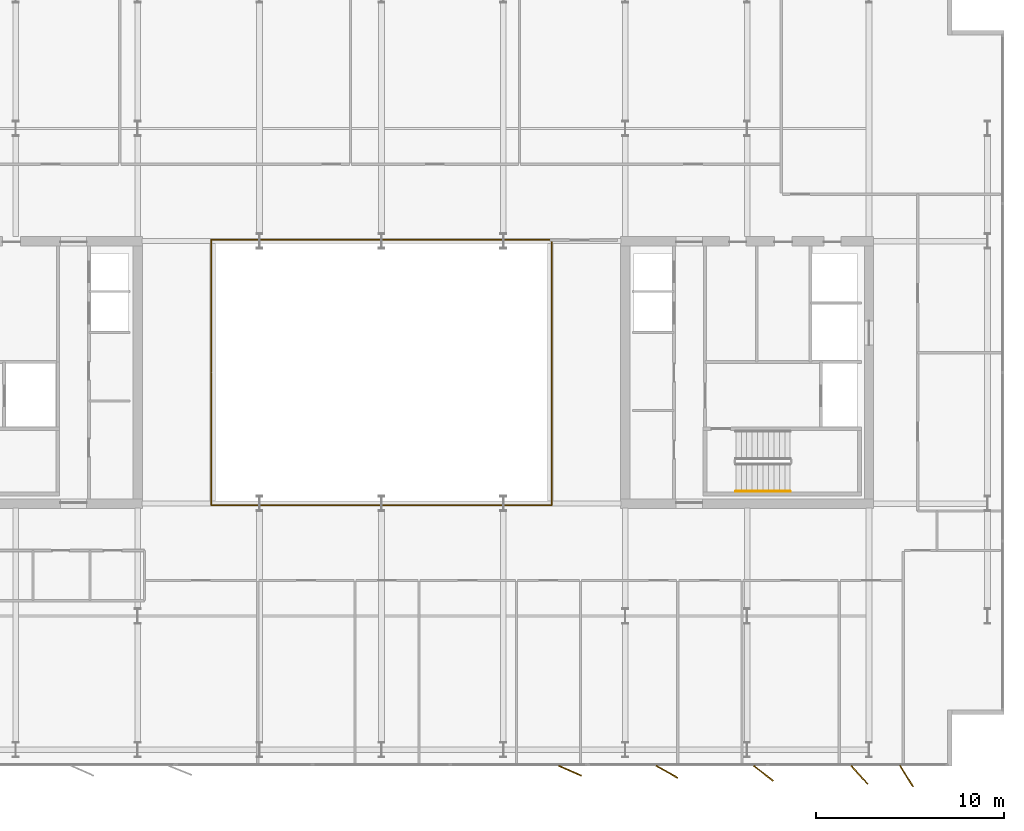
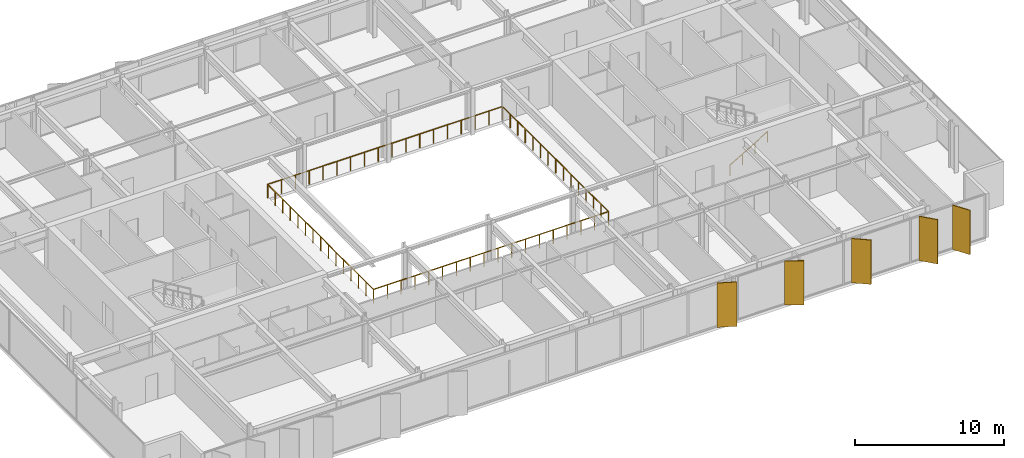
# One storey, part 22 of 24: 5 shading devices, 3 railings.
"""IFC4 building model written with IfcOpenShell, lengths in metres."""

from ifc_helpers import new_model, si_unit, direction, frame, origin, origin_2d, place, context, subcontext, project, spatial, rectangle, circle, extrude, material, layer, layer_set, type_object, element, save


model = new_model("IFC4")

# Units and contexts
model_context = context("Model", 3, precision=1e-05, world=origin(), true_north=direction((0.0, 1.0)))
body_context = subcontext(model_context, "Body", "Model", "MODEL_VIEW")
ifc_project = project(units=[si_unit("LENGTHUNIT", "METRE"), si_unit("AREAUNIT", "SQUARE_METRE"), si_unit("VOLUMEUNIT", "CUBIC_METRE"), si_unit("PLANEANGLEUNIT", "RADIAN"), si_unit("MASSUNIT", "GRAM", prefix="KILO")], contexts=[model_context])

# Site, building, storey
site_placement = place(None, origin())
site = spatial("IfcSite", under=ifc_project, at=site_placement, CompositionType="ELEMENT")
building_placement = place(site_placement, origin())
building = spatial("IfcBuilding", under=site, at=building_placement, Name="Putna Gate Headquarters", CompositionType="ELEMENT")
storey_placement = place(building_placement, frame((0.0, 0.0, 236.60009765625)))
storey = spatial("IfcBuildingStorey", under=building, at=storey_placement, Name="L59", CompositionType="ELEMENT", Elevation=236.60009765625)

# Railings
ifc_material_1 = material(Name="Anodised bronze and laminated glass atrium balustrade", Category="glass")
railing_type_1 = type_object("IfcRailingType", Name="RAIL-ATRIUM-GUARD-1150", PredefinedType="GUARDRAIL", material=ifc_material_1)
railing_1_placement = place(storey_placement, frame((29.919921875, 25.969970703125, 0.0)))
element("IfcRailing", 1, at=railing_1_placement, inside=storey, type_object=railing_type_1, Name="L59 Central Atrium Glazed Balustrade South", PredefinedType="GUARDRAIL", context=body_context, shape_type="SweptSolid", body=[
    extrude(circle(Radius=0.02392578125, at=origin_2d()), frame((0.0, 0.0, 1.1259765625), z_axis=(0.0, -1.0, 0.0), x_axis=(1.0, 0.0, 0.0)), (0.0, 0.0, 1.0), 7.050048828125),
    extrude(circle(Radius=0.02392578125, at=origin_2d()), frame((0.0, -7.050048828125, 1.1259765625), z_axis=(1.0, 0.0, 0.0), x_axis=(0.0, 1.0, 0.0)), (0.0, 0.0, 1.0), 18.16015625),
    extrude(circle(Radius=0.02392578125, at=origin_2d()), frame((18.16015625, -7.050048828125, 1.1259765625), z_axis=(0.0, 1.0, 0.0), x_axis=(-1.0, 0.0, 0.0)), (0.0, 0.0, 1.0), 7.050048828125),
    extrude(circle(Radius=0.02099609375, at=origin_2d()), origin(), (0.0, 0.0, 1.0), 1.101806640625),
    extrude(circle(Radius=0.02099609375, at=origin_2d()), frame((0.0, -1.007080078125, 0.0)), (0.0, 0.0, 1.0), 1.101806640625),
    extrude(circle(Radius=0.02099609375, at=origin_2d()), frame((0.0, -2.014404296875, 0.0)), (0.0, 0.0, 1.0), 1.101806640625),
    extrude(circle(Radius=0.02099609375, at=origin_2d()), frame((0.0, -3.021484375, 0.0)), (0.0, 0.0, 1.0), 1.101806640625),
    extrude(circle(Radius=0.02099609375, at=origin_2d()), frame((0.0, -4.028564453125, 0.0)), (0.0, 0.0, 1.0), 1.101806640625),
    extrude(circle(Radius=0.02099609375, at=origin_2d()), frame((0.0, -5.03564453125, 0.0)), (0.0, 0.0, 1.0), 1.101806640625),
    extrude(circle(Radius=0.02099609375, at=origin_2d()), frame((0.0, -6.04296875, 0.0)), (0.0, 0.0, 1.0), 1.101806640625),
    extrude(circle(Radius=0.02099609375, at=origin_2d()), frame((0.0, -7.050048828125, 0.0)), (0.0, 0.0, 1.0), 1.101806640625),
    extrude(circle(Radius=0.02099609375, at=origin_2d()), frame((1.068359375, -7.050048828125, 0.0)), (0.0, 0.0, 1.0), 1.101806640625),
    extrude(circle(Radius=0.02099609375, at=origin_2d()), frame((2.136474609375, -7.050048828125, 0.0)), (0.0, 0.0, 1.0), 1.101806640625),
    extrude(circle(Radius=0.02099609375, at=origin_2d()), frame((3.204833984375, -7.050048828125, 0.0)), (0.0, 0.0, 1.0), 1.101806640625),
    extrude(circle(Radius=0.02099609375, at=origin_2d()), frame((4.27294921875, -7.050048828125, 0.0)), (0.0, 0.0, 1.0), 1.101806640625),
    extrude(circle(Radius=0.02099609375, at=origin_2d()), frame((5.34130859375, -7.050048828125, 0.0)), (0.0, 0.0, 1.0), 1.101806640625),
    extrude(circle(Radius=0.02099609375, at=origin_2d()), frame((6.409423828125, -7.050048828125, 0.0)), (0.0, 0.0, 1.0), 1.101806640625),
    extrude(circle(Radius=0.02099609375, at=origin_2d()), frame((7.477783203125, -7.050048828125, 0.0)), (0.0, 0.0, 1.0), 1.101806640625),
    extrude(circle(Radius=0.02099609375, at=origin_2d()), frame((8.5458984375, -7.050048828125, 0.0)), (0.0, 0.0, 1.0), 1.101806640625),
    extrude(circle(Radius=0.02099609375, at=origin_2d()), frame((9.6142578125, -7.050048828125, 0.0)), (0.0, 0.0, 1.0), 1.101806640625),
    extrude(circle(Radius=0.02099609375, at=origin_2d()), frame((10.682373046875, -7.050048828125, 0.0)), (0.0, 0.0, 1.0), 1.101806640625),
    extrude(circle(Radius=0.02099609375, at=origin_2d()), frame((11.750732421875, -7.050048828125, 0.0)), (0.0, 0.0, 1.0), 1.101806640625),
    extrude(circle(Radius=0.02099609375, at=origin_2d()), frame((12.81884765625, -7.050048828125, 0.0)), (0.0, 0.0, 1.0), 1.101806640625),
    extrude(circle(Radius=0.02099609375, at=origin_2d()), frame((13.88720703125, -7.050048828125, 0.0)), (0.0, 0.0, 1.0), 1.101806640625),
    extrude(circle(Radius=0.02099609375, at=origin_2d()), frame((14.955322265625, -7.050048828125, 0.0)), (0.0, 0.0, 1.0), 1.101806640625),
    extrude(circle(Radius=0.02099609375, at=origin_2d()), frame((16.023681640625, -7.050048828125, 0.0)), (0.0, 0.0, 1.0), 1.101806640625),
    extrude(circle(Radius=0.02099609375, at=origin_2d()), frame((17.091796875, -7.050048828125, 0.0)), (0.0, 0.0, 1.0), 1.101806640625),
    extrude(circle(Radius=0.02099609375, at=origin_2d()), frame((18.16015625, -7.050048828125, 0.0)), (0.0, 0.0, 1.0), 1.101806640625),
    extrude(circle(Radius=0.02099609375, at=origin_2d()), frame((18.16015625, -6.04296875, 0.0)), (0.0, 0.0, 1.0), 1.101806640625),
    extrude(circle(Radius=0.02099609375, at=origin_2d()), frame((18.16015625, -5.03564453125, 0.0)), (0.0, 0.0, 1.0), 1.101806640625),
    extrude(circle(Radius=0.02099609375, at=origin_2d()), frame((18.16015625, -4.028564453125, 0.0)), (0.0, 0.0, 1.0), 1.101806640625),
    extrude(circle(Radius=0.02099609375, at=origin_2d()), frame((18.16015625, -3.021484375, 0.0)), (0.0, 0.0, 1.0), 1.101806640625),
    extrude(circle(Radius=0.02099609375, at=origin_2d()), frame((18.16015625, -2.014404296875, 0.0)), (0.0, 0.0, 1.0), 1.101806640625),
    extrude(circle(Radius=0.02099609375, at=origin_2d()), frame((18.16015625, -1.007080078125, 0.0)), (0.0, 0.0, 1.0), 1.101806640625),
    extrude(circle(Radius=0.02099609375, at=origin_2d()), frame((18.16015625, 0.0, 0.0)), (0.0, 0.0, 1.0), 1.101806640625),
])
railing_2_placement = place(storey_placement, frame((48.080078125, 26.030029296875, 0.0)))
element("IfcRailing", 2, at=railing_2_placement, inside=storey, type_object=railing_type_1, Name="L59 Central Atrium Glazed Balustrade North", PredefinedType="GUARDRAIL", context=body_context, shape_type="SweptSolid", body=[
    extrude(circle(Radius=0.02392578125, at=origin_2d()), frame((0.0, 0.0, 1.1259765625), z_axis=(0.0, 1.0, 0.0), x_axis=(-1.0, 0.0, 0.0)), (0.0, 0.0, 1.0), 7.050048828125),
    extrude(circle(Radius=0.02392578125, at=origin_2d()), frame((0.0, 7.050048828125, 1.1259765625), z_axis=(-1.0, 0.0, 0.0), x_axis=(0.0, -1.0, 0.0)), (0.0, 0.0, 1.0), 18.16015625),
    extrude(circle(Radius=0.02392578125, at=origin_2d()), frame((-18.16015625, 7.050048828125, 1.1259765625), z_axis=(0.0, -1.0, 0.0), x_axis=(1.0, 0.0, 0.0)), (0.0, 0.0, 1.0), 7.050048828125),
    extrude(circle(Radius=0.02099609375, at=origin_2d()), origin(), (0.0, 0.0, 1.0), 1.101806640625),
    extrude(circle(Radius=0.02099609375, at=origin_2d()), frame((0.0, 1.007080078125, 0.0)), (0.0, 0.0, 1.0), 1.101806640625),
    extrude(circle(Radius=0.02099609375, at=origin_2d()), frame((0.0, 2.014404296875, 0.0)), (0.0, 0.0, 1.0), 1.101806640625),
    extrude(circle(Radius=0.02099609375, at=origin_2d()), frame((0.0, 3.021484375, 0.0)), (0.0, 0.0, 1.0), 1.101806640625),
    extrude(circle(Radius=0.02099609375, at=origin_2d()), frame((0.0, 4.028564453125, 0.0)), (0.0, 0.0, 1.0), 1.101806640625),
    extrude(circle(Radius=0.02099609375, at=origin_2d()), frame((0.0, 5.03564453125, 0.0)), (0.0, 0.0, 1.0), 1.101806640625),
    extrude(circle(Radius=0.02099609375, at=origin_2d()), frame((0.0, 6.04296875, 0.0)), (0.0, 0.0, 1.0), 1.101806640625),
    extrude(circle(Radius=0.02099609375, at=origin_2d()), frame((0.0, 7.050048828125, 0.0)), (0.0, 0.0, 1.0), 1.101806640625),
    extrude(circle(Radius=0.02099609375, at=origin_2d()), frame((-1.068359375, 7.050048828125, 0.0)), (0.0, 0.0, 1.0), 1.101806640625),
    extrude(circle(Radius=0.02099609375, at=origin_2d()), frame((-2.136474609375, 7.050048828125, 0.0)), (0.0, 0.0, 1.0), 1.101806640625),
    extrude(circle(Radius=0.02099609375, at=origin_2d()), frame((-3.204833984375, 7.050048828125, 0.0)), (0.0, 0.0, 1.0), 1.101806640625),
    extrude(circle(Radius=0.02099609375, at=origin_2d()), frame((-4.27294921875, 7.050048828125, 0.0)), (0.0, 0.0, 1.0), 1.101806640625),
    extrude(circle(Radius=0.02099609375, at=origin_2d()), frame((-5.34130859375, 7.050048828125, 0.0)), (0.0, 0.0, 1.0), 1.101806640625),
    extrude(circle(Radius=0.02099609375, at=origin_2d()), frame((-6.409423828125, 7.050048828125, 0.0)), (0.0, 0.0, 1.0), 1.101806640625),
    extrude(circle(Radius=0.02099609375, at=origin_2d()), frame((-7.477783203125, 7.050048828125, 0.0)), (0.0, 0.0, 1.0), 1.101806640625),
    extrude(circle(Radius=0.02099609375, at=origin_2d()), frame((-8.5458984375, 7.050048828125, 0.0)), (0.0, 0.0, 1.0), 1.101806640625),
    extrude(circle(Radius=0.02099609375, at=origin_2d()), frame((-9.6142578125, 7.050048828125, 0.0)), (0.0, 0.0, 1.0), 1.101806640625),
    extrude(circle(Radius=0.02099609375, at=origin_2d()), frame((-10.682373046875, 7.050048828125, 0.0)), (0.0, 0.0, 1.0), 1.101806640625),
    extrude(circle(Radius=0.02099609375, at=origin_2d()), frame((-11.750732421875, 7.050048828125, 0.0)), (0.0, 0.0, 1.0), 1.101806640625),
    extrude(circle(Radius=0.02099609375, at=origin_2d()), frame((-12.81884765625, 7.050048828125, 0.0)), (0.0, 0.0, 1.0), 1.101806640625),
    extrude(circle(Radius=0.02099609375, at=origin_2d()), frame((-13.88720703125, 7.050048828125, 0.0)), (0.0, 0.0, 1.0), 1.101806640625),
    extrude(circle(Radius=0.02099609375, at=origin_2d()), frame((-14.955322265625, 7.050048828125, 0.0)), (0.0, 0.0, 1.0), 1.101806640625),
    extrude(circle(Radius=0.02099609375, at=origin_2d()), frame((-16.023681640625, 7.050048828125, 0.0)), (0.0, 0.0, 1.0), 1.101806640625),
    extrude(circle(Radius=0.02099609375, at=origin_2d()), frame((-17.091796875, 7.050048828125, 0.0)), (0.0, 0.0, 1.0), 1.101806640625),
    extrude(circle(Radius=0.02099609375, at=origin_2d()), frame((-18.16015625, 7.050048828125, 0.0)), (0.0, 0.0, 1.0), 1.101806640625),
    extrude(circle(Radius=0.02099609375, at=origin_2d()), frame((-18.16015625, 6.04296875, 0.0)), (0.0, 0.0, 1.0), 1.101806640625),
    extrude(circle(Radius=0.02099609375, at=origin_2d()), frame((-18.16015625, 5.03564453125, 0.0)), (0.0, 0.0, 1.0), 1.101806640625),
    extrude(circle(Radius=0.02099609375, at=origin_2d()), frame((-18.16015625, 4.028564453125, 0.0)), (0.0, 0.0, 1.0), 1.101806640625),
    extrude(circle(Radius=0.02099609375, at=origin_2d()), frame((-18.16015625, 3.021484375, 0.0)), (0.0, 0.0, 1.0), 1.101806640625),
    extrude(circle(Radius=0.02099609375, at=origin_2d()), frame((-18.16015625, 2.014404296875, 0.0)), (0.0, 0.0, 1.0), 1.101806640625),
    extrude(circle(Radius=0.02099609375, at=origin_2d()), frame((-18.16015625, 1.007080078125, 0.0)), (0.0, 0.0, 1.0), 1.101806640625),
    extrude(circle(Radius=0.02099609375, at=origin_2d()), frame((-18.16015625, 0.0, 0.0)), (0.0, 0.0, 1.0), 1.101806640625),
])
ifc_material_2 = material(Name="Brushed stainless steel handrail", Category="steel")
railing_type_2 = type_object("IfcRailingType", Name="RAIL-STAIR-HAND-900", PredefinedType="HANDRAIL", material=ifc_material_2)
railing_3_placement = place(storey_placement, frame((57.89990234375, 19.64990234375, 0.172607421875)))
element("IfcRailing", 3, at=railing_3_placement, inside=storey, type_object=railing_type_2, Name="L59 ST2 stair handrail 1", PredefinedType="HANDRAIL", context=body_context, shape_type="SweptSolid", body=[
    extrude(circle(Radius=0.02392578125, at=origin_2d()), frame((0.0, 0.0, 0.8759765625), z_axis=(0.859160404282, 0.0, 0.51170636083), x_axis=(0.0, 1.0, 0.0)), (0.0, 0.0, 1.0), 3.37548828125),
    extrude(circle(Radius=0.02099609375, at=origin_2d()), origin(), (0.0, 0.0, 1.0), 0.851806640625),
    extrude(circle(Radius=0.02099609375, at=origin_2d()), frame((0.966796875, 0.0, 0.57568359375)), (0.0, 0.0, 1.0), 0.851806640625),
    extrude(circle(Radius=0.02099609375, at=origin_2d()), frame((1.933349609375, 0.0, 1.151611328125)), (0.0, 0.0, 1.0), 0.851806640625),
    extrude(circle(Radius=0.02099609375, at=origin_2d()), frame((2.900146484375, 0.0, 1.727294921875)), (0.0, 0.0, 1.0), 0.851806640625),
])

# Shading devices
ifc_material_3 = material(Name="Anodised architectural bronze aluminium fin", Category="aluminium")
ifc_layer = layer(ifc_material_3, 0.06494140625)
ifc_layer_set = layer_set([ifc_layer], Name="Anodised architectural bronze aluminium fin")
shading_device_type = type_object("IfcShadingDeviceType", Name="SHADE-BRONZE-FIN-1320", PredefinedType="USERDEFINED", material=ifc_layer_set)
for number, where, z_axis, x_axis, name in (
    (4, (49.052978515625, 4.7568359375, -0.020263671875), (0.0, 0.0, 1.0), (0.913687379856, -0.40641773078, 0.0), "L59 Bronze Vertical Shading Fin S7"),
    (5, (54.223876953125, 4.69873046875, -0.020263671875), (0.0, 0.0, 1.0), (0.869322458298, -0.494245347472, 0.0), "L59 Bronze Vertical Shading Fin S8"),
    (6, (59.36962890625, 4.6181640625, -0.020263671875), (0.0, 0.0, 1.0), (0.787473187632, -0.616348909921, 0.0), "L59 Bronze Vertical Shading Fin S9"),
    (7, (64.49169921875, 4.534423828125, -0.020263671875), (0.0, 0.0, 1.0), (0.669130606359, -0.743144825477, 0.0), "L59 Bronze Vertical Shading Fin S10"),
    (8, (67.000244140625, 4.465576171875, -0.020263671875), (0.0, 0.0, 1.0), (0.530659123936, -0.847585331506, 0.0), "L59 Bronze Vertical Shading Fin S11"),
):
    element("IfcShadingDevice", number, at=place(storey_placement, frame(where, z_axis=z_axis, x_axis=x_axis)), inside=storey, type_object=shading_device_type, Name=name, ObjectType="FIN", PredefinedType="USERDEFINED", context=body_context, shape_type="SweptSolid", body=[
        extrude(rectangle(XDim=1.320068359375, YDim=0.06494140625, at=origin_2d()), origin(), (0.0, 0.0, 1.0), 3.6201171875),
    ])

save(model, "model.ifc")
